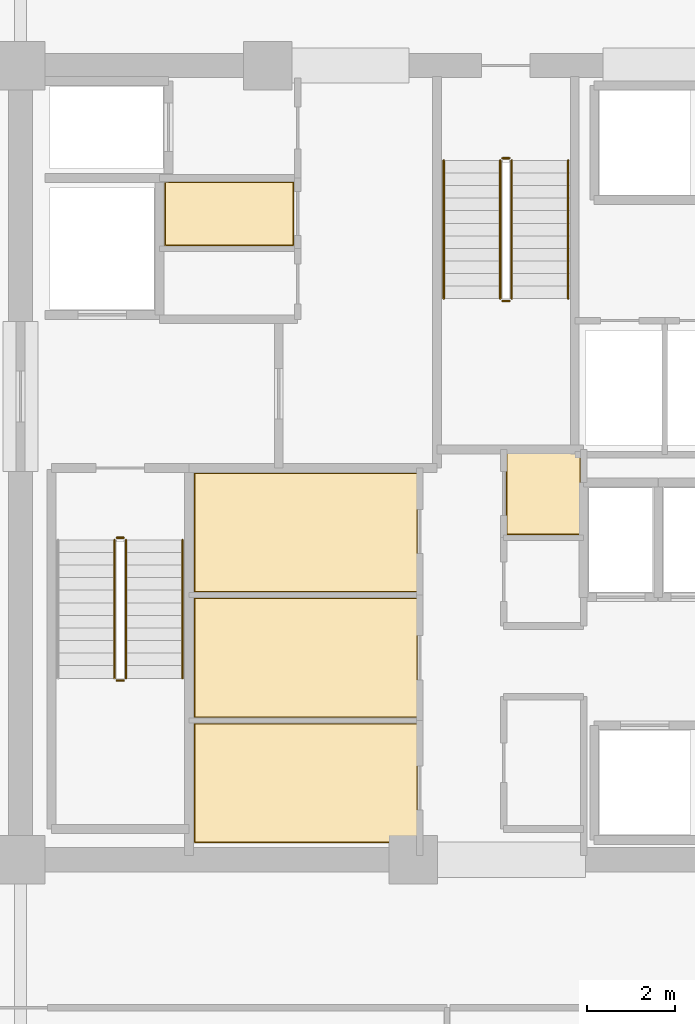
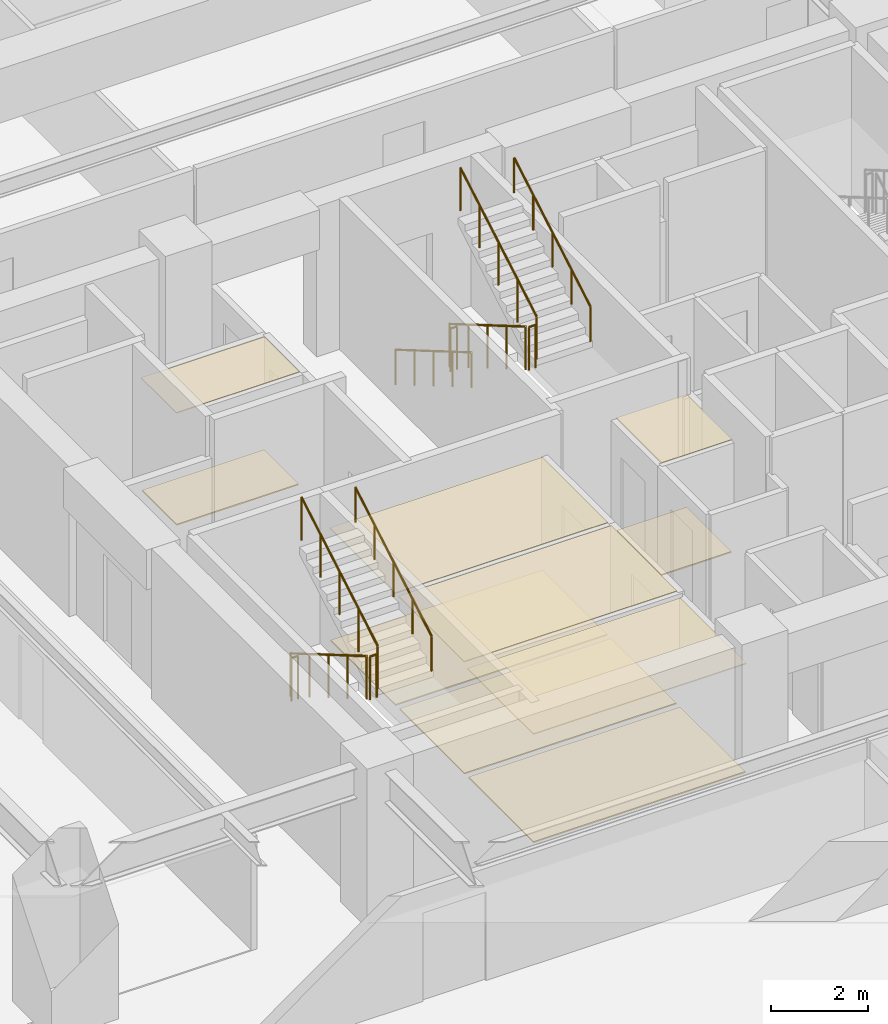
# One storey, part 18 of 21: 11 railings, 10 coverings.
"""IFC4 building model written with IfcOpenShell, lengths in metres."""

from ifc_helpers import new_model, si_unit, direction, frame, origin, origin_2d, place, context, subcontext, project, spatial, polyline, circle, outline, extrude, material, layer, layer_set, type_object, element, save


model = new_model("IFC4")

# Units and contexts
model_context = context("Model", 3, precision=1e-05, world=origin(), true_north=direction((0.0, 1.0)))
body_context = subcontext(model_context, "Body", "Model", "MODEL_VIEW")
ifc_project = project(units=[si_unit("LENGTHUNIT", "METRE"), si_unit("AREAUNIT", "SQUARE_METRE"), si_unit("VOLUMEUNIT", "CUBIC_METRE"), si_unit("PLANEANGLEUNIT", "RADIAN"), si_unit("MASSUNIT", "GRAM", prefix="KILO")], contexts=[model_context])

# Site, building, storey
site_placement = place(None, origin())
site = spatial("IfcSite", under=ifc_project, at=site_placement, CompositionType="ELEMENT")
building_placement = place(site_placement, origin())
building = spatial("IfcBuilding", under=site, at=building_placement, Name="Kovane Verandah Tower", CompositionType="ELEMENT")
storey_placement = place(building_placement, frame((0.0, 0.0, 172.39990234375)))
storey = spatial("IfcBuildingStorey", under=building, at=storey_placement, Name="L40", CompositionType="ELEMENT", Elevation=172.39990234375)

# Coverings
ifc_material_1 = material(Name="Perforated Acoustic Mineral-Fibre Ceiling Tile", Category="gypsum")
ifc_layer_1 = layer(ifc_material_1, 0.02490234375)
ifc_layer_set_1 = layer_set([ifc_layer_1], Name="Perforated Acoustic Mineral-Fibre Ceiling Tile")
covering_type_1 = type_object("IfcCoveringType", Name="CV-CEIL-25", PredefinedType="CEILING", material=ifc_layer_set_1)
covering_1_placement = place(storey_placement, frame((0.0, 0.0, 2.72998046875)))
element("IfcCovering", 1, at=covering_1_placement, inside=storey, type_object=covering_type_1, Name="L40 Project Archive Room Acoustic Ceiling", PredefinedType="CEILING", context=body_context, shape_type="SweptSolid", body=[
    extrude(outline(polyline([(32.93505859375, 18.885009765625), (37.9951171875, 18.885009765625), (37.9951171875, 21.594970703125), (32.93505859375, 21.594970703125), (32.93505859375, 18.885009765625)])), origin(), (0.0, 0.0, 1.0), 0.025146484375),
])
covering_2_placement = place(storey_placement, frame((0.0, 0.0, 2.8251953125)))
element("IfcCovering", 2, at=covering_2_placement, inside=storey, type_object=covering_type_1, Name="L40 First Aid and Wellness Room Acoustic Ceiling", PredefinedType="CEILING", context=body_context, shape_type="SweptSolid", body=[
    extrude(outline(polyline([(32.93505859375, 21.72509765625), (37.9951171875, 21.72509765625), (37.9951171875, 24.43505859375), (32.93505859375, 24.43505859375), (32.93505859375, 21.72509765625)])), origin(), (0.0, 0.0, 1.0), 0.02490234375),
])
covering_3_placement = place(storey_placement, frame((0.0, 0.0, 2.8251953125)))
element("IfcCovering", 3, at=covering_3_placement, inside=storey, type_object=covering_type_1, Name="L40 Tea and Copy Hub Acoustic Ceiling", PredefinedType="CEILING", context=body_context, shape_type="SweptSolid", body=[
    extrude(outline(polyline([(32.93505859375, 24.56494140625), (37.9951171875, 24.56494140625), (37.9951171875, 27.264892578125), (32.93505859375, 27.264892578125), (32.93505859375, 24.56494140625)])), origin(), (0.0, 0.0, 1.0), 0.02490234375),
])
covering_4_placement = place(storey_placement, frame((0.0, 0.0, 2.8251953125)))
element("IfcCovering", 4, at=covering_4_placement, inside=storey, type_object=covering_type_1, Name="L40 North-West First Aid Room Acoustic Ceiling", PredefinedType="CEILING", context=body_context, shape_type="SweptSolid", body=[
    extrude(outline(polyline([(32.264892578125, 32.4150390625), (35.195068359375, 32.4150390625), (35.195068359375, 33.864990234375), (32.264892578125, 33.864990234375), (32.264892578125, 32.4150390625)])), origin(), (0.0, 0.0, 1.0), 0.02490234375),
])
covering_5_placement = place(storey_placement, frame((0.0, 0.0, 2.8251953125)))
element("IfcCovering", 5, at=covering_5_placement, inside=storey, type_object=covering_type_1, Name="L40 Central First Aid and Wellness Room Acoustic Ceiling", PredefinedType="CEILING", context=body_context, shape_type="SweptSolid", body=[
    extrude(outline(polyline([(40.0048828125, 25.864990234375), (41.695068359375, 25.864990234375), (41.695068359375, 27.735107421875), (40.0048828125, 27.735107421875), (40.0048828125, 25.864990234375)])), origin(), (0.0, 0.0, 1.0), 0.02490234375),
])
ifc_material_2 = material(Name="Polished Terrazzo and Raised-Access Carpet Tile Finish", Category="concrete")
ifc_layer_2 = layer(ifc_material_2, 0.030029296875)
ifc_layer_set_2 = layer_set([ifc_layer_2], Name="Polished Terrazzo and Raised-Access Carpet Tile Finish")
covering_type_2 = type_object("IfcCoveringType", Name="CV-FLOR-30", PredefinedType="FLOORING", material=ifc_layer_set_2)
covering_6_placement = place(storey_placement, origin())
element("IfcCovering", 6, at=covering_6_placement, inside=storey, type_object=covering_type_2, Name="L40 Project Archive Room Floor Finish", PredefinedType="FLOORING", context=body_context, shape_type="SweptSolid", body=[
    extrude(outline(polyline([(32.949951171875, 18.89990234375), (37.97998046875, 18.89990234375), (37.97998046875, 21.580078125), (32.949951171875, 21.580078125), (32.949951171875, 18.89990234375)])), origin(), (0.0, 0.0, 1.0), 0.030029296875),
])
covering_7_placement = place(storey_placement, origin())
element("IfcCovering", 7, at=covering_7_placement, inside=storey, type_object=covering_type_2, Name="L40 First Aid and Wellness Room Floor Finish", PredefinedType="FLOORING", context=body_context, shape_type="SweptSolid", body=[
    extrude(outline(polyline([(32.949951171875, 21.739990234375), (37.97998046875, 21.739990234375), (37.97998046875, 24.419921875), (32.949951171875, 24.419921875), (32.949951171875, 21.739990234375)])), origin(), (0.0, 0.0, 1.0), 0.030029296875),
])
covering_8_placement = place(storey_placement, origin())
element("IfcCovering", 8, at=covering_8_placement, inside=storey, type_object=covering_type_2, Name="L40 Tea and Copy Hub Floor Finish", PredefinedType="FLOORING", context=body_context, shape_type="SweptSolid", body=[
    extrude(outline(polyline([(32.949951171875, 24.580078125), (37.97998046875, 24.580078125), (37.97998046875, 27.25), (32.949951171875, 27.25), (32.949951171875, 24.580078125)])), origin(), (0.0, 0.0, 1.0), 0.030029296875),
])
covering_9_placement = place(storey_placement, origin())
element("IfcCovering", 9, at=covering_9_placement, inside=storey, type_object=covering_type_2, Name="L40 North-West First Aid Room Floor Finish", PredefinedType="FLOORING", context=body_context, shape_type="SweptSolid", body=[
    extrude(outline(polyline([(32.280029296875, 32.429931640625), (35.179931640625, 32.429931640625), (35.179931640625, 33.85009765625), (32.280029296875, 33.85009765625), (32.280029296875, 32.429931640625)])), origin(), (0.0, 0.0, 1.0), 0.030029296875),
])
covering_10_placement = place(storey_placement, origin())
element("IfcCovering", 10, at=covering_10_placement, inside=storey, type_object=covering_type_2, Name="L40 Central First Aid and Wellness Room Floor Finish", PredefinedType="FLOORING", context=body_context, shape_type="SweptSolid", body=[
    extrude(outline(polyline([(40.02001953125, 25.8798828125), (41.679931640625, 25.8798828125), (41.679931640625, 27.719970703125), (40.02001953125, 27.719970703125), (40.02001953125, 25.8798828125)])), origin(), (0.0, 0.0, 1.0), 0.030029296875),
])

# Railings
ifc_material_3 = material(Name="Brushed Stainless Steel Handrail", Category="steel")
railing_type_1 = type_object("IfcRailingType", Name="RL-HAND-920", PredefinedType="HANDRAIL", material=ifc_material_3)
railing_1_placement = place(storey_placement, frame((32.669921875, 22.614990234375, 2.166748046875)))
element("IfcRailing", 11, at=railing_1_placement, inside=storey, type_object=railing_type_1, Name="L40 ST-01 stair handrail 2", PredefinedType="HANDRAIL", context=body_context, shape_type="SweptSolid", body=[
    extrude(circle(Radius=0.02392578125, at=origin_2d()), frame((0.0, 0.0, 0.8759765625), z_axis=(0.0, 0.863239559939, 0.504794475164), x_axis=(-1.0, 0.0, 0.0)), (0.0, 0.0, 1.0), 3.631591796875),
    extrude(circle(Radius=0.02099609375, at=origin_2d()), origin(), (0.0, 0.0, 1.0), 0.851806640625),
    extrude(circle(Radius=0.02099609375, at=origin_2d()), frame((0.0, 0.78369140625, 0.458251953125)), (0.0, 0.0, 1.0), 0.851806640625),
    extrude(circle(Radius=0.02099609375, at=origin_2d()), frame((0.0, 1.5673828125, 0.91650390625)), (0.0, 0.0, 1.0), 0.851806640625),
    extrude(circle(Radius=0.02099609375, at=origin_2d()), frame((0.0, 2.351318359375, 1.375)), (0.0, 0.0, 1.0), 0.851806640625),
    extrude(circle(Radius=0.02099609375, at=origin_2d()), frame((0.0, 3.135009765625, 1.833251953125)), (0.0, 0.0, 1.0), 0.851806640625),
])
railing_2_placement = place(storey_placement, frame((38.590087890625, 34.35009765625, 0.166748046875)))
element("IfcRailing", 12, at=railing_2_placement, inside=storey, type_object=railing_type_1, Name="L40 ST-03 stair handrail 1", PredefinedType="HANDRAIL", context=body_context, shape_type="SweptSolid", body=[
    extrude(circle(Radius=0.02392578125, at=origin_2d()), frame((0.0, 0.0, 0.8759765625), z_axis=(0.0, -0.863239559939, 0.504794475164), x_axis=(1.0, 0.0, 0.0)), (0.0, 0.0, 1.0), 3.631591796875),
    extrude(circle(Radius=0.02099609375, at=origin_2d()), origin(), (0.0, 0.0, 1.0), 0.851806640625),
    extrude(circle(Radius=0.02099609375, at=origin_2d()), frame((0.0, -0.78369140625, 0.458251953125)), (0.0, 0.0, 1.0), 0.851806640625),
    extrude(circle(Radius=0.02099609375, at=origin_2d()), frame((0.0, -1.5673828125, 0.91650390625)), (0.0, 0.0, 1.0), 0.851806640625),
    extrude(circle(Radius=0.02099609375, at=origin_2d()), frame((0.0, -2.351318359375, 1.375)), (0.0, 0.0, 1.0), 0.851806640625),
    extrude(circle(Radius=0.02099609375, at=origin_2d()), frame((0.0, -3.135009765625, 1.833251953125)), (0.0, 0.0, 1.0), 0.851806640625),
])
railing_3_placement = place(storey_placement, frame((41.409912109375, 31.215087890625, 2.166748046875)))
element("IfcRailing", 13, at=railing_3_placement, inside=storey, type_object=railing_type_1, Name="L40 ST-03 stair handrail 2", PredefinedType="HANDRAIL", context=body_context, shape_type="SweptSolid", body=[
    extrude(circle(Radius=0.02392578125, at=origin_2d()), frame((0.0, 0.0, 0.8759765625), z_axis=(0.0, 0.863239559939, 0.504794475164), x_axis=(-1.0, 0.0, 0.0)), (0.0, 0.0, 1.0), 3.631591796875),
    extrude(circle(Radius=0.02099609375, at=origin_2d()), origin(), (0.0, 0.0, 1.0), 0.851806640625),
    extrude(circle(Radius=0.02099609375, at=origin_2d()), frame((0.0, 0.78369140625, 0.458251953125)), (0.0, 0.0, 1.0), 0.851806640625),
    extrude(circle(Radius=0.02099609375, at=origin_2d()), frame((0.0, 1.5673828125, 0.91650390625)), (0.0, 0.0, 1.0), 0.851806640625),
    extrude(circle(Radius=0.02099609375, at=origin_2d()), frame((0.0, 2.351318359375, 1.375)), (0.0, 0.0, 1.0), 0.851806640625),
    extrude(circle(Radius=0.02099609375, at=origin_2d()), frame((0.0, 3.135009765625, 1.833251953125)), (0.0, 0.0, 1.0), 0.851806640625),
])
ifc_material_4 = material(Name="Painted Steel Stairwell Guardrail", Category="steel")
railing_type_2 = type_object("IfcRailingType", Name="RL-STGUARD-1120", PredefinedType="GUARDRAIL", material=ifc_material_4)
railing_4_placement = place(storey_placement, frame((31.1298828125, 25.75, 0.166748046875)))
element("IfcRailing", 14, at=railing_4_placement, inside=storey, type_object=railing_type_2, Name="L40 ST-01 stair guard 1", PredefinedType="GUARDRAIL", context=body_context, shape_type="SweptSolid", body=[
    extrude(circle(Radius=0.02392578125, at=origin_2d()), frame((0.0, 0.0, 1.076171875), z_axis=(0.0, -0.863239559939, 0.504794475164), x_axis=(1.0, 0.0, 0.0)), (0.0, 0.0, 1.0), 3.631591796875),
    extrude(circle(Radius=0.02099609375, at=origin_2d()), origin(), (0.0, 0.0, 1.0), 1.052001953125),
    extrude(circle(Radius=0.02099609375, at=origin_2d()), frame((0.0, -0.78369140625, 0.458251953125)), (0.0, 0.0, 1.0), 1.052001953125),
    extrude(circle(Radius=0.02099609375, at=origin_2d()), frame((0.0, -1.5673828125, 0.91650390625)), (0.0, 0.0, 1.0), 1.052001953125),
    extrude(circle(Radius=0.02099609375, at=origin_2d()), frame((0.0, -2.351318359375, 1.375)), (0.0, 0.0, 1.0), 1.052001953125),
    extrude(circle(Radius=0.02099609375, at=origin_2d()), frame((0.0, -3.135009765625, 1.833251953125)), (0.0, 0.0, 1.0), 1.052001953125),
])
railing_5_placement = place(storey_placement, frame((31.179931640625, 22.56494140625, 2.0)))
element("IfcRailing", 15, at=railing_5_placement, inside=storey, type_object=railing_type_2, Name="L40 ST-01 stair guard 2", PredefinedType="GUARDRAIL", context=body_context, shape_type="SweptSolid", body=[
    extrude(circle(Radius=0.02392578125, at=origin_2d()), frame((0.0, 0.0, 1.076171875), z_axis=(1.0, 0.0, 0.0), x_axis=(0.0, 1.0, 0.0)), (0.0, 0.0, 1.0), 0.16015625),
    extrude(circle(Radius=0.02099609375, at=origin_2d()), origin(), (0.0, 0.0, 1.0), 1.052001953125),
    extrude(circle(Radius=0.02099609375, at=origin_2d()), frame((0.16015625, 0.0, 0.0)), (0.0, 0.0, 1.0), 1.052001953125),
])
railing_6_placement = place(storey_placement, frame((31.389892578125, 22.614990234375, 2.166748046875)))
element("IfcRailing", 16, at=railing_6_placement, inside=storey, type_object=railing_type_2, Name="L40 ST-01 stair guard 3", PredefinedType="GUARDRAIL", context=body_context, shape_type="SweptSolid", body=[
    extrude(circle(Radius=0.02392578125, at=origin_2d()), frame((0.0, 0.0, 1.076171875), z_axis=(0.0, 0.863239559939, 0.504794475164), x_axis=(-1.0, 0.0, 0.0)), (0.0, 0.0, 1.0), 3.631591796875),
    extrude(circle(Radius=0.02099609375, at=origin_2d()), origin(), (0.0, 0.0, 1.0), 1.052001953125),
    extrude(circle(Radius=0.02099609375, at=origin_2d()), frame((0.0, 0.78369140625, 0.458251953125)), (0.0, 0.0, 1.0), 1.052001953125),
    extrude(circle(Radius=0.02099609375, at=origin_2d()), frame((0.0, 1.5673828125, 0.91650390625)), (0.0, 0.0, 1.0), 1.052001953125),
    extrude(circle(Radius=0.02099609375, at=origin_2d()), frame((0.0, 2.351318359375, 1.375)), (0.0, 0.0, 1.0), 1.052001953125),
    extrude(circle(Radius=0.02099609375, at=origin_2d()), frame((0.0, 3.135009765625, 1.833251953125)), (0.0, 0.0, 1.0), 1.052001953125),
])
railing_7_placement = place(storey_placement, frame((31.179931640625, 25.800048828125, 0.0)))
element("IfcRailing", 17, at=railing_7_placement, inside=storey, type_object=railing_type_2, Name="L40 ST-01 stair guard 4", PredefinedType="GUARDRAIL", context=body_context, shape_type="SweptSolid", body=[
    extrude(circle(Radius=0.02392578125, at=origin_2d()), frame((0.0, 0.0, 1.076171875), z_axis=(1.0, 0.0, 0.0), x_axis=(0.0, 1.0, 0.0)), (0.0, 0.0, 1.0), 0.16015625),
    extrude(circle(Radius=0.02099609375, at=origin_2d()), origin(), (0.0, 0.0, 1.0), 1.052001953125),
    extrude(circle(Radius=0.02099609375, at=origin_2d()), frame((0.16015625, 0.0, 0.0)), (0.0, 0.0, 1.0), 1.052001953125),
])
railing_8_placement = place(storey_placement, frame((39.8701171875, 34.35009765625, 0.166748046875)))
element("IfcRailing", 18, at=railing_8_placement, inside=storey, type_object=railing_type_2, Name="L40 ST-03 stair guard 1", PredefinedType="GUARDRAIL", context=body_context, shape_type="SweptSolid", body=[
    extrude(circle(Radius=0.02392578125, at=origin_2d()), frame((0.0, 0.0, 1.076171875), z_axis=(0.0, -0.863239559939, 0.504794475164), x_axis=(1.0, 0.0, 0.0)), (0.0, 0.0, 1.0), 3.631591796875),
    extrude(circle(Radius=0.02099609375, at=origin_2d()), origin(), (0.0, 0.0, 1.0), 1.052001953125),
    extrude(circle(Radius=0.02099609375, at=origin_2d()), frame((0.0, -0.78369140625, 0.458251953125)), (0.0, 0.0, 1.0), 1.052001953125),
    extrude(circle(Radius=0.02099609375, at=origin_2d()), frame((0.0, -1.5673828125, 0.91650390625)), (0.0, 0.0, 1.0), 1.052001953125),
    extrude(circle(Radius=0.02099609375, at=origin_2d()), frame((0.0, -2.351318359375, 1.375)), (0.0, 0.0, 1.0), 1.052001953125),
    extrude(circle(Radius=0.02099609375, at=origin_2d()), frame((0.0, -3.135009765625, 1.833251953125)), (0.0, 0.0, 1.0), 1.052001953125),
])
railing_9_placement = place(storey_placement, frame((39.919921875, 31.1650390625, 2.0)))
element("IfcRailing", 19, at=railing_9_placement, inside=storey, type_object=railing_type_2, Name="L40 ST-03 stair guard 2", PredefinedType="GUARDRAIL", context=body_context, shape_type="SweptSolid", body=[
    extrude(circle(Radius=0.02392578125, at=origin_2d()), frame((0.0, 0.0, 1.076171875), z_axis=(1.0, 0.0, 0.0), x_axis=(0.0, 1.0, 0.0)), (0.0, 0.0, 1.0), 0.16015625),
    extrude(circle(Radius=0.02099609375, at=origin_2d()), origin(), (0.0, 0.0, 1.0), 1.052001953125),
    extrude(circle(Radius=0.02099609375, at=origin_2d()), frame((0.16015625, 0.0, 0.0)), (0.0, 0.0, 1.0), 1.052001953125),
])
railing_10_placement = place(storey_placement, frame((40.1298828125, 31.215087890625, 2.166748046875)))
element("IfcRailing", 20, at=railing_10_placement, inside=storey, type_object=railing_type_2, Name="L40 ST-03 stair guard 3", PredefinedType="GUARDRAIL", context=body_context, shape_type="SweptSolid", body=[
    extrude(circle(Radius=0.02392578125, at=origin_2d()), frame((0.0, 0.0, 1.076171875), z_axis=(0.0, 0.863239559939, 0.504794475164), x_axis=(-1.0, 0.0, 0.0)), (0.0, 0.0, 1.0), 3.631591796875),
    extrude(circle(Radius=0.02099609375, at=origin_2d()), origin(), (0.0, 0.0, 1.0), 1.052001953125),
    extrude(circle(Radius=0.02099609375, at=origin_2d()), frame((0.0, 0.78369140625, 0.458251953125)), (0.0, 0.0, 1.0), 1.052001953125),
    extrude(circle(Radius=0.02099609375, at=origin_2d()), frame((0.0, 1.5673828125, 0.91650390625)), (0.0, 0.0, 1.0), 1.052001953125),
    extrude(circle(Radius=0.02099609375, at=origin_2d()), frame((0.0, 2.351318359375, 1.375)), (0.0, 0.0, 1.0), 1.052001953125),
    extrude(circle(Radius=0.02099609375, at=origin_2d()), frame((0.0, 3.135009765625, 1.833251953125)), (0.0, 0.0, 1.0), 1.052001953125),
])
railing_11_placement = place(storey_placement, frame((39.919921875, 34.39990234375, 0.0)))
element("IfcRailing", 21, at=railing_11_placement, inside=storey, type_object=railing_type_2, Name="L40 ST-03 stair guard 4", PredefinedType="GUARDRAIL", context=body_context, shape_type="SweptSolid", body=[
    extrude(circle(Radius=0.02392578125, at=origin_2d()), frame((0.0, 0.0, 1.076171875), z_axis=(1.0, 0.0, 0.0), x_axis=(0.0, 1.0, 0.0)), (0.0, 0.0, 1.0), 0.16015625),
    extrude(circle(Radius=0.02099609375, at=origin_2d()), origin(), (0.0, 0.0, 1.0), 1.052001953125),
    extrude(circle(Radius=0.02099609375, at=origin_2d()), frame((0.16015625, 0.0, 0.0)), (0.0, 0.0, 1.0), 1.052001953125),
])

save(model, "model.ifc")
